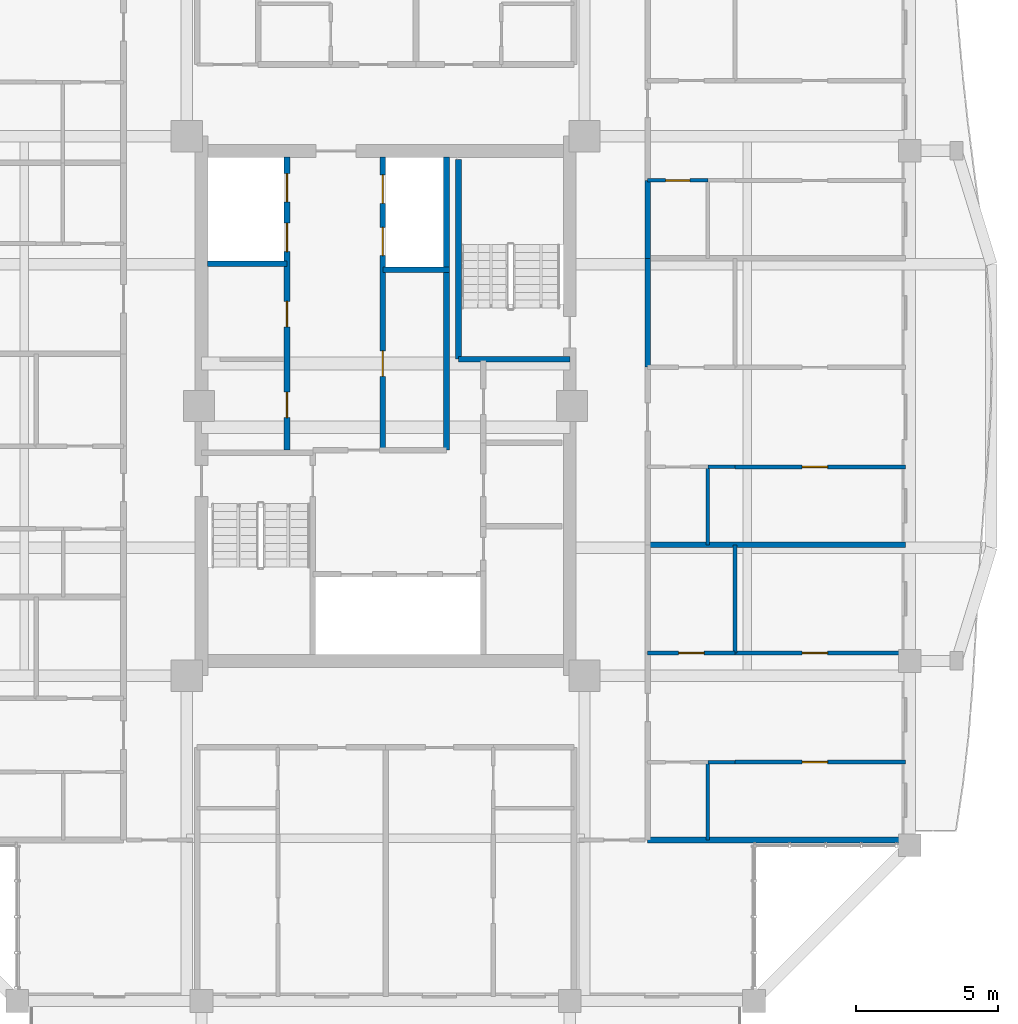
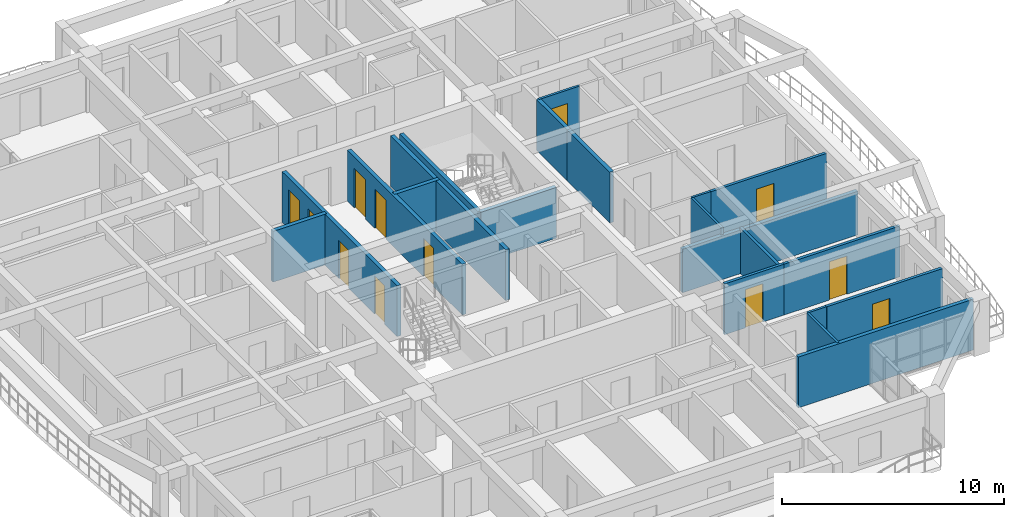
# One storey, part 13 of 22: 22 walls, 12 doors, 12 openings.
"""IFC4 building model written with IfcOpenShell, lengths in metres."""

from ifc_helpers import new_model, si_unit, direction, frame, frame_2d, origin, place, context, subcontext, project, spatial, rectangle, extrude, source, transform, mapped, material, layer, layer_set, type_object, element, fill, save


model = new_model("IFC4")

# Units and contexts
model_context = context("Model", 3, precision=1e-05, world=origin(), true_north=direction((0.0, 1.0)))
body_context = subcontext(model_context, "Body", "Model", "MODEL_VIEW")
ifc_project = project(units=[si_unit("LENGTHUNIT", "METRE"), si_unit("AREAUNIT", "SQUARE_METRE"), si_unit("VOLUMEUNIT", "CUBIC_METRE"), si_unit("PLANEANGLEUNIT", "RADIAN"), si_unit("MASSUNIT", "GRAM", prefix="KILO")], contexts=[model_context])

# Site, building, storey
site_placement = place(None, origin())
site = spatial("IfcSite", under=ifc_project, at=site_placement, CompositionType="ELEMENT")
building_placement = place(site_placement, origin())
building = spatial("IfcBuilding", under=site, at=building_placement, Name="Saelheon Loggia Tower", CompositionType="ELEMENT")
storey_placement = place(building_placement, frame((0.0, 0.0, 196.60009765625)))
storey = spatial("IfcBuildingStorey", under=building, at=storey_placement, Name="L61", CompositionType="ELEMENT", Elevation=196.60009765625)

# Wall
ifc_material_1 = material(Name="Lightweight Autoclaved Aerated Concrete Block and Acoustic Gypsum", Category="concrete")
ifc_layer_1 = layer(ifc_material_1, 0.14990234375)
ifc_layer_set_1 = layer_set([ifc_layer_1], Name="Lightweight Autoclaved Aerated Concrete Block and Acoustic Gypsum")
wall_type_1 = type_object("IfcWallType", Name="Wall_Part_150", PredefinedType="PARTITIONING", material=ifc_layer_set_1)
wall_1_placement = place(storey_placement, frame((50.330078125, 18.280029296875, 0.0), z_axis=(0.0, 0.0, 1.0), x_axis=(0.0, 1.0, 0.0)))
element("IfcWall", 1, at=wall_1_placement, inside=storey, type_object=wall_type_1, Name="L61 E Partition V07", PredefinedType="PARTITIONING", context=body_context, shape_type="SweptSolid", body=[
    extrude(rectangle(XDim=3.817626953125, YDim=0.14990234375, at=frame_2d((1.90869140625, 0.0))), origin(), (0.0, 0.0, 1.0), 2.489990234375),
])

# Wall, opening, door
wall_2_placement = place(storey_placement, frame((50.330078125, 14.429931640625, 0.0), z_axis=(0.0, 0.0, 1.0), x_axis=(1.0, 0.0, 0.0)))
wall_2 = element("IfcWall", 2, at=wall_2_placement, inside=storey, type_object=wall_type_1, Name="L61 E Partition U10", PredefinedType="PARTITIONING", context=body_context, shape_type="SweptSolid", body=[
    extrude(rectangle(XDim=6.02001953125, YDim=0.14990234375, at=frame_2d((3.010009765625, 0.0))), origin(), (0.0, 0.0, 1.0), 2.789794921875),
])
opening_1_placement = place(wall_2_placement, frame((2.36669921875, 0.0, 0.0)))
opening_1 = element("IfcOpeningElement", 3, at=opening_1_placement, cuts=wall_2, Name="Opening D-IN2", PredefinedType="OPENING", context=body_context, shape_type="SweptSolid", body=[
    extrude(rectangle(XDim=0.89990234375, YDim=2.10009765625, at=frame_2d((0.449951171875, 1.050048828125))), frame((0.0, 0.0869140625, 0.0), z_axis=(0.0, -1.0, 0.0), x_axis=(1.0, 0.0, 0.0)), (0.0, 0.0, 1.0), 0.173828125),
])
ifc_material_2 = material(Name="Engineered Oak Flush Door", Category="timber")
door_type_1 = type_object("IfcDoorType", Name="Door_Int_900", OperationType="NOTDEFINED", PredefinedType="DOOR", material=ifc_material_2)
shared_shape_1 = source(origin(), body_context, "Body", "SweptSolid", [
    extrude(rectangle(XDim=0.89990234375, YDim=2.10009765625, at=frame_2d((0.449951171875, 1.050048828125))), frame((0.0, 0.02490234375, 0.0), z_axis=(0.0, -1.0, 0.0), x_axis=(1.0, 0.0, 0.0)), (0.0, 0.0, 1.0), 0.050048828125),
])
door_1_placement = place(opening_1_placement, origin())
door_1 = element("IfcDoor", 4, at=door_1_placement, inside=storey, type_object=door_type_1, Name="Unit U09 Kitchen Door", OperationType="SINGLE_SWING_LEFT", OverallHeight=2.10009765625, OverallWidth=0.89990234375, PredefinedType="DOOR", context=body_context, shape_type="MappedRepresentation", body=[
    mapped(shared_shape_1, transform((0.0, 0.0, 0.0), scale=1.0)),
])
fill(opening_1, door_1)

wall_3_placement = place(storey_placement, frame((47.25, 18.280029296875, 0.0), z_axis=(0.0, 0.0, 1.0), x_axis=(1.0, 0.0, 0.0)))
wall_3 = element("IfcWall", 5, at=wall_3_placement, inside=storey, type_object=wall_type_1, Name="L61 E Partition U11", PredefinedType="PARTITIONING", context=body_context, shape_type="SweptSolid", body=[
    extrude(rectangle(XDim=3.080078125, YDim=0.14990234375, at=frame_2d((1.5400390625, 0.0))), origin(), (0.0, 0.0, 1.0), 2.789794921875),
])
opening_2_placement = place(wall_3_placement, frame((1.090087890625, 0.0, 0.0)))
opening_2 = element("IfcOpeningElement", 6, at=opening_2_placement, cuts=wall_3, Name="Opening D-IN2", PredefinedType="OPENING", context=body_context, shape_type="SweptSolid", body=[
    extrude(rectangle(XDim=0.89990234375, YDim=2.10009765625, at=frame_2d((0.449951171875, 1.050048828125))), frame((0.0, 0.0869140625, 0.0), z_axis=(0.0, -1.0, 0.0), x_axis=(1.0, 0.0, 0.0)), (0.0, 0.0, 1.0), 0.173828125),
])
door_2_placement = place(opening_2_placement, origin())
door_2 = element("IfcDoor", 7, at=door_2_placement, inside=storey, type_object=door_type_1, Name="Unit U09 Home Office Door", OperationType="SINGLE_SWING_RIGHT", OverallHeight=2.10009765625, OverallWidth=0.89990234375, PredefinedType="DOOR", context=body_context, shape_type="MappedRepresentation", body=[
    mapped(shared_shape_1, transform((0.0, 0.0, 0.0), scale=1.0)),
])
fill(opening_2, door_2)

wall_4_placement = place(storey_placement, frame((50.330078125, 18.280029296875, 0.0), z_axis=(0.0, 0.0, 1.0), x_axis=(1.0, 0.0, 0.0)))
wall_4 = element("IfcWall", 8, at=wall_4_placement, inside=storey, type_object=wall_type_1, Name="L61 E Partition U12", PredefinedType="PARTITIONING", context=body_context, shape_type="SweptSolid", body=[
    extrude(rectangle(XDim=6.02001953125, YDim=0.14990234375, at=frame_2d((3.010009765625, 0.0))), origin(), (0.0, 0.0, 1.0), 2.789794921875),
])
opening_3_placement = place(wall_4_placement, frame((2.36669921875, 0.0, 0.0)))
opening_3 = element("IfcOpeningElement", 9, at=opening_3_placement, cuts=wall_4, Name="Opening D-IN2", PredefinedType="OPENING", context=body_context, shape_type="SweptSolid", body=[
    extrude(rectangle(XDim=0.89990234375, YDim=2.10009765625, at=frame_2d((0.449951171875, 1.050048828125))), frame((0.0, 0.0869140625, 0.0), z_axis=(0.0, -1.0, 0.0), x_axis=(1.0, 0.0, 0.0)), (0.0, 0.0, 1.0), 0.173828125),
])
door_3_placement = place(opening_3_placement, origin())
door_3 = element("IfcDoor", 10, at=door_3_placement, inside=storey, type_object=door_type_1, Name="Unit U09 Bedroom 1 Door", OperationType="SINGLE_SWING_LEFT", OverallHeight=2.10009765625, OverallWidth=0.89990234375, PredefinedType="DOOR", context=body_context, shape_type="MappedRepresentation", body=[
    mapped(shared_shape_1, transform((0.0, 0.0, 0.0), scale=1.0)),
])
fill(opening_3, door_3)

wall_5_placement = place(storey_placement, frame((50.330078125, 24.84765625, 0.0), z_axis=(0.0, 0.0, 1.0), x_axis=(1.0, 0.0, 0.0)))
wall_5 = element("IfcWall", 11, at=wall_5_placement, inside=storey, type_object=wall_type_1, Name="L61 E Partition U21", PredefinedType="PARTITIONING", context=body_context, shape_type="SweptSolid", body=[
    extrude(rectangle(XDim=6.02001953125, YDim=0.14990234375, at=frame_2d((3.010009765625, 0.0))), origin(), (0.0, 0.0, 1.0), 2.789794921875),
])
opening_4_placement = place(wall_5_placement, frame((2.36669921875, 0.0, 0.0)))
opening_4 = element("IfcOpeningElement", 12, at=opening_4_placement, cuts=wall_5, Name="Opening D-IN2", PredefinedType="OPENING", context=body_context, shape_type="SweptSolid", body=[
    extrude(rectangle(XDim=0.89990234375, YDim=2.10009765625, at=frame_2d((0.449951171875, 1.050048828125))), frame((0.0, 0.0869140625, 0.0), z_axis=(0.0, -1.0, 0.0), x_axis=(1.0, 0.0, 0.0)), (0.0, 0.0, 1.0), 0.173828125),
])
door_4_placement = place(opening_4_placement, origin())
door_4 = element("IfcDoor", 13, at=door_4_placement, inside=storey, type_object=door_type_1, Name="Unit U10 Kitchen Door", OperationType="SINGLE_SWING_RIGHT", OverallHeight=2.10009765625, OverallWidth=0.89990234375, PredefinedType="DOOR", context=body_context, shape_type="MappedRepresentation", body=[
    mapped(shared_shape_1, transform((0.0, 0.0, 0.0), scale=1.0)),
])
fill(opening_4, door_4)

# Walls
ifc_material_3 = material(Name="Double Acoustic Stud and Fireboard Partition", Category="gypsum")
ifc_layer_2 = layer(ifc_material_3, 0.199951171875)
ifc_layer_set_2 = layer_set([ifc_layer_2], Name="Double Acoustic Stud and Fireboard Partition")
wall_type_2 = type_object("IfcWallType", Name="Wall_Party_200", PredefinedType="PARTITIONING", material=ifc_layer_set_2)
wall_6_placement = place(storey_placement, frame((47.25, 11.679931640625, 0.0), z_axis=(0.0, 0.0, 1.0), x_axis=(1.0, 0.0, 0.0)))
element("IfcWall", 14, at=wall_6_placement, inside=storey, type_object=wall_type_2, Name="L61 E Partition U01", PredefinedType="PARTITIONING", context=body_context, shape_type="SweptSolid", body=[
    extrude(rectangle(XDim=9.10009765625, YDim=0.199951171875, at=frame_2d((4.550048828125, 0.0))), origin(), (0.0, 0.0, 1.0), 2.789794921875),
])
wall_7_placement = place(storey_placement, frame((47.25, 22.09765625, 0.0), z_axis=(0.0, 0.0, 1.0), x_axis=(1.0, 0.0, 0.0)))
element("IfcWall", 15, at=wall_7_placement, inside=storey, type_object=wall_type_2, Name="L61 E Partition U13", PredefinedType="PARTITIONING", context=body_context, shape_type="SweptSolid", body=[
    extrude(rectangle(XDim=9.10009765625, YDim=0.199951171875, at=frame_2d((4.550048828125, 0.0))), origin(), (0.0, 0.0, 1.0), 2.389892578125),
])
wall_8_placement = place(storey_placement, frame((47.25, 28.366455078125, 0.0), z_axis=(0.0, 0.0, 1.0), x_axis=(0.0, 1.0, 0.0)))
element("IfcWall", 16, at=wall_8_placement, inside=storey, type_object=wall_type_2, Name="L61 E Partition V16", PredefinedType="PARTITIONING", context=body_context, shape_type="SweptSolid", body=[
    extrude(rectangle(XDim=3.84228515625, YDim=0.199951171875, at=frame_2d((1.921142578125, 0.0))), origin(), (0.0, 0.0, 1.0), 2.789794921875),
])
wall_9_placement = place(storey_placement, frame((47.25, 32.208740234375, 0.0), z_axis=(0.0, 0.0, 1.0), x_axis=(0.0, 1.0, 0.0)))
element("IfcWall", 17, at=wall_9_placement, inside=storey, type_object=wall_type_2, Name="L61 E Partition V25", PredefinedType="PARTITIONING", context=body_context, shape_type="SweptSolid", body=[
    extrude(rectangle(XDim=2.75, YDim=0.199951171875, at=frame_2d((1.375, 0.0))), origin(), (0.0, 0.0, 1.0), 2.789794921875),
])
ifc_material_4 = material(Name="Concrete C40/50", Category="concrete")
ifc_layer_3 = layer(ifc_material_4, 0.199951171875)
ifc_layer_set_3 = layer_set([ifc_layer_3], Name="Concrete C40/50")
wall_type_3 = type_object("IfcWallType", Name="Wall_Shaft_200", PredefinedType="PARTITIONING", material=ifc_layer_set_3)
wall_10_placement = place(storey_placement, frame((40.14990234375, 25.43994140625, 0.0), z_axis=(0.0, 0.0, 1.0), x_axis=(0.0, 1.0, 0.0)))
element("IfcWall", 18, at=wall_10_placement, inside=storey, type_object=wall_type_3, Name="L61 Core Service Passage West Wall", PredefinedType="PARTITIONING", context=body_context, shape_type="SweptSolid", body=[
    extrude(rectangle(XDim=6.360107421875, YDim=0.199951171875, at=frame_2d((3.18017578125, 0.0))), origin(), (0.0, 0.0, 1.0), 2.789794921875),
])
wall_11_placement = place(storey_placement, frame((40.14990234375, 31.800048828125, 0.0), z_axis=(0.0, 0.0, 1.0), x_axis=(0.0, 1.0, 0.0)))
element("IfcWall", 19, at=wall_11_placement, inside=storey, type_object=wall_type_3, Name="L61 East High-Rise Hoistway East Wall", PredefinedType="PARTITIONING", context=body_context, shape_type="SweptSolid", body=[
    extrude(rectangle(XDim=3.97998046875, YDim=0.199951171875, at=frame_2d((1.989990234375, 0.0))), origin(), (0.0, 0.0, 1.0), 2.789794921875),
])

# Wall, openings, doors
wall_12_placement = place(storey_placement, frame((34.52001953125, 25.43994140625, 0.0), z_axis=(0.0, 0.0, 1.0), x_axis=(0.0, 1.0, 0.0)))
wall_12 = element("IfcWall", 20, at=wall_12_placement, inside=storey, type_object=wall_type_3, Name="L61 West Passenger Lift Bank Wall", PredefinedType="PARTITIONING", context=body_context, shape_type="SweptSolid", body=[
    extrude(rectangle(XDim=10.340087890625, YDim=0.199951171875, at=frame_2d((5.169921875, 0.0))), origin(), (0.0, 0.0, 1.0), 2.789794921875),
])
opening_5_placement = place(wall_12_placement, frame((1.14990234375, 0.0, 0.0)))
opening_5 = element("IfcOpeningElement", 21, at=opening_5_placement, cuts=wall_12, Name="Opening D-RS1", PredefinedType="OPENING", context=body_context, shape_type="SweptSolid", body=[
    extrude(rectangle(XDim=0.89990234375, YDim=2.10009765625, at=frame_2d((0.449951171875, 1.050048828125))), frame((0.0, 0.112060546875, 0.0), z_axis=(0.0, -1.0, 0.0), x_axis=(1.0, 0.0, 0.0)), (0.0, 0.0, 1.0), 0.223876953125),
])
opening_6_placement = place(wall_12_placement, frame((4.35009765625, 0.0, 0.0)))
opening_6 = element("IfcOpeningElement", 22, at=opening_6_placement, cuts=wall_12, Name="Opening D-RS1", PredefinedType="OPENING", context=body_context, shape_type="SweptSolid", body=[
    extrude(rectangle(XDim=0.89990234375, YDim=2.10009765625, at=frame_2d((0.449951171875, 1.050048828125))), frame((0.0, 0.112060546875, 0.0), z_axis=(0.0, -1.0, 0.0), x_axis=(1.0, 0.0, 0.0)), (0.0, 0.0, 1.0), 0.223876953125),
])
opening_7_placement = place(wall_12_placement, frame((7.010009765625, 0.0, 0.0)))
opening_7 = element("IfcOpeningElement", 23, at=opening_7_placement, cuts=wall_12, Name="Opening LD1", PredefinedType="OPENING", context=body_context, shape_type="SweptSolid", body=[
    extrude(rectangle(XDim=1.0, YDim=2.14990234375, at=frame_2d((0.5, 1.074951171875))), frame((0.0, 0.112060546875, 0.0), z_axis=(0.0, -1.0, 0.0), x_axis=(1.0, 0.0, 0.0)), (0.0, 0.0, 1.0), 0.223876953125),
])
opening_8_placement = place(wall_12_placement, frame((8.760009765625, 0.0, 0.0)))
opening_8 = element("IfcOpeningElement", 24, at=opening_8_placement, cuts=wall_12, Name="Opening LD1", PredefinedType="OPENING", context=body_context, shape_type="SweptSolid", body=[
    extrude(rectangle(XDim=1.0, YDim=2.14990234375, at=frame_2d((0.5, 1.074951171875))), frame((0.0, 0.112060546875, 0.0), z_axis=(0.0, -1.0, 0.0), x_axis=(1.0, 0.0, 0.0)), (0.0, 0.0, 1.0), 0.223876953125),
])
ifc_material_5 = material(Name="Galvanised Steel Riser Access Door", Category="steel")
door_type_2 = type_object("IfcDoorType", Name="Door_Riser_FD60", OperationType="NOTDEFINED", PredefinedType="DOOR", material=ifc_material_5)
door_5_placement = place(opening_5_placement, origin())
door_5 = element("IfcDoor", 25, at=door_5_placement, inside=storey, type_object=door_type_2, Name="L61 Parcel Store Door", OperationType="SINGLE_SWING_LEFT", OverallHeight=2.10009765625, OverallWidth=0.89990234375, PredefinedType="DOOR", context=body_context, shape_type="MappedRepresentation", body=[
    mapped(shared_shape_1, transform((0.0, 0.0, 0.0), scale=1.0)),
])
fill(opening_5, door_5)
door_6_placement = place(opening_6_placement, origin())
door_6 = element("IfcDoor", 26, at=door_6_placement, inside=storey, type_object=door_type_2, Name="L61 Smart Metering Door", OperationType="SINGLE_SWING_RIGHT", OverallHeight=2.10009765625, OverallWidth=0.89990234375, PredefinedType="DOOR", context=body_context, shape_type="MappedRepresentation", body=[
    mapped(shared_shape_1, transform((0.0, 0.0, 0.0), scale=1.0)),
])
fill(opening_6, door_6)
ifc_material_6 = material(Name="Brushed Stainless Steel 304 Landing Door", Category="steel")
door_type_3 = type_object("IfcDoorType", Name="Door_Lift_LD1", OperationType="DOUBLE_DOOR_SLIDING", PredefinedType="DOOR", material=ifc_material_6)
shared_shape_2 = source(origin(), body_context, "Body", "SweptSolid", [
    extrude(rectangle(XDim=1.0, YDim=2.14990234375, at=frame_2d((0.5, 1.074951171875))), frame((0.0, 0.02490234375, 0.0), z_axis=(0.0, -1.0, 0.0), x_axis=(1.0, 0.0, 0.0)), (0.0, 0.0, 1.0), 0.050048828125),
])
door_7_placement = place(opening_7_placement, origin())
door_7 = element("IfcDoor", 27, at=door_7_placement, inside=storey, type_object=door_type_3, Name="L61 PH1 Landing Door", OperationType="DOUBLE_DOOR_SLIDING", OverallHeight=2.14990234375, OverallWidth=1.0, PredefinedType="DOOR", context=body_context, shape_type="MappedRepresentation", body=[
    mapped(shared_shape_2, transform((0.0, 0.0, 0.0), scale=1.0)),
])
fill(opening_7, door_7)
door_8_placement = place(opening_8_placement, origin())
door_8 = element("IfcDoor", 28, at=door_8_placement, inside=storey, type_object=door_type_3, Name="L61 PH2 Landing Door", OperationType="DOUBLE_DOOR_SLIDING", OverallHeight=2.14990234375, OverallWidth=1.0, PredefinedType="DOOR", context=body_context, shape_type="MappedRepresentation", body=[
    mapped(shared_shape_2, transform((0.0, 0.0, 0.0), scale=1.0)),
])
fill(opening_8, door_8)

# Wall
wall_13_placement = place(storey_placement, frame((31.719970703125, 32.02001953125, 0.0), z_axis=(0.0, 0.0, 1.0), x_axis=(1.0, 0.0, 0.0)))
element("IfcWall", 29, at=wall_13_placement, inside=storey, type_object=wall_type_3, Name="L61 West High-Rise Shaft Divider", PredefinedType="PARTITIONING", context=body_context, shape_type="SweptSolid", body=[
    extrude(rectangle(XDim=2.800048828125, YDim=0.199951171875, at=frame_2d((1.39990234375, 0.0))), origin(), (0.0, 0.0, 1.0), 2.789794921875),
])

# Wall, openings, doors
wall_14_placement = place(storey_placement, frame((37.89990234375, 25.43994140625, 0.0), z_axis=(0.0, 0.0, 1.0), x_axis=(0.0, 1.0, 0.0)))
wall_14 = element("IfcWall", 30, at=wall_14_placement, inside=storey, type_object=wall_type_3, Name="L61 East Passenger Lift Bank Wall", PredefinedType="PARTITIONING", context=body_context, shape_type="SweptSolid", body=[
    extrude(rectangle(XDim=10.340087890625, YDim=0.199951171875, at=frame_2d((5.169921875, 0.0))), origin(), (0.0, 0.0, 1.0), 2.789794921875),
])
opening_9_placement = place(wall_14_placement, frame((2.60009765625, 0.0, 0.0)))
opening_9 = element("IfcOpeningElement", 31, at=opening_9_placement, cuts=wall_14, Name="Opening D-RS1", PredefinedType="OPENING", context=body_context, shape_type="SweptSolid", body=[
    extrude(rectangle(XDim=0.89990234375, YDim=2.10009765625, at=frame_2d((0.449951171875, 1.050048828125))), frame((0.0, 0.112060546875, 0.0), z_axis=(0.0, -1.0, 0.0), x_axis=(1.0, 0.0, 0.0)), (0.0, 0.0, 1.0), 0.223876953125),
])
opening_10_placement = place(wall_14_placement, frame((6.860107421875, 0.0, 0.0)))
opening_10 = element("IfcOpeningElement", 32, at=opening_10_placement, cuts=wall_14, Name="Opening LD1", PredefinedType="OPENING", context=body_context, shape_type="SweptSolid", body=[
    extrude(rectangle(XDim=1.0, YDim=2.14990234375, at=frame_2d((0.5, 1.074951171875))), frame((0.0, 0.112060546875, 0.0), z_axis=(0.0, -1.0, 0.0), x_axis=(1.0, 0.0, 0.0)), (0.0, 0.0, 1.0), 0.223876953125),
])
opening_11_placement = place(wall_14_placement, frame((8.7099609375, 0.0, 0.0)))
opening_11 = element("IfcOpeningElement", 33, at=opening_11_placement, cuts=wall_14, Name="Opening LD1", PredefinedType="OPENING", context=body_context, shape_type="SweptSolid", body=[
    extrude(rectangle(XDim=1.0, YDim=2.14990234375, at=frame_2d((0.5, 1.074951171875))), frame((0.0, 0.112060546875, 0.0), z_axis=(0.0, -1.0, 0.0), x_axis=(1.0, 0.0, 0.0)), (0.0, 0.0, 1.0), 0.223876953125),
])
door_9_placement = place(opening_9_placement, origin())
door_9 = element("IfcDoor", 34, at=door_9_placement, inside=storey, type_object=door_type_2, Name="L61 Upper Storage Room Door", OperationType="SINGLE_SWING_LEFT", OverallHeight=2.10009765625, OverallWidth=0.89990234375, PredefinedType="DOOR", context=body_context, shape_type="MappedRepresentation", body=[
    mapped(shared_shape_1, transform((0.0, 0.0, 0.0), scale=1.0)),
])
fill(opening_9, door_9)
door_10_placement = place(opening_10_placement, origin())
door_10 = element("IfcDoor", 35, at=door_10_placement, inside=storey, type_object=door_type_3, Name="L61 PH3 Landing Door", OperationType="DOUBLE_DOOR_SLIDING", OverallHeight=2.14990234375, OverallWidth=1.0, PredefinedType="DOOR", context=body_context, shape_type="MappedRepresentation", body=[
    mapped(shared_shape_2, transform((0.0, 0.0, 0.0), scale=1.0)),
])
fill(opening_10, door_10)
door_11_placement = place(opening_11_placement, origin())
door_11 = element("IfcDoor", 36, at=door_11_placement, inside=storey, type_object=door_type_3, Name="L61 PH4 Landing Door", OperationType="DOUBLE_DOOR_SLIDING", OverallHeight=2.14990234375, OverallWidth=1.0, PredefinedType="DOOR", context=body_context, shape_type="MappedRepresentation", body=[
    mapped(shared_shape_2, transform((0.0, 0.0, 0.0), scale=1.0)),
])
fill(opening_11, door_11)

# Walls
wall_15_placement = place(storey_placement, frame((37.89990234375, 31.800048828125, 0.0), z_axis=(0.0, 0.0, 1.0), x_axis=(1.0, 0.0, 0.0)))
element("IfcWall", 37, at=wall_15_placement, inside=storey, type_object=wall_type_3, Name="L61 East High-Rise Shaft Divider", PredefinedType="PARTITIONING", context=body_context, shape_type="SweptSolid", body=[
    extrude(rectangle(XDim=2.35009765625, YDim=0.199951171875, at=frame_2d((1.175048828125, 0.0))), origin(), (0.0, 0.0, 1.0), 2.789794921875),
])
ifc_material_7 = material(Name="Concrete C45/55", Category="concrete")
ifc_layer_4 = layer(ifc_material_7, 0.199951171875)
ifc_layer_set_4 = layer_set([ifc_layer_4], Name="Concrete C45/55")
wall_type_4 = type_object("IfcWallType", Name="Wall_StairShaft_RC200", PredefinedType="SOLIDWALL", material=ifc_layer_set_4)
wall_16_placement = place(storey_placement, frame((40.570068359375, 28.64990234375, 0.0), z_axis=(0.0, 0.0, 1.0), x_axis=(0.0, 1.0, 0.0)))
element("IfcWall", 38, at=wall_16_placement, inside=storey, type_object=wall_type_4, Name="L61 Stair ST2 Shaft Wall", PredefinedType="SOLIDWALL", context=body_context, shape_type="SweptSolid", body=[
    extrude(rectangle(XDim=7.050048828125, YDim=0.199951171875, at=frame_2d((3.52490234375, 0.0))), origin(), (0.0, 0.0, 1.0), 2.789794921875),
])
wall_17_placement = place(storey_placement, frame((40.570068359375, 28.64990234375, 0.0), z_axis=(0.0, 0.0, 1.0), x_axis=(1.0, 0.0, 0.0)))
element("IfcWall", 39, at=wall_17_placement, inside=storey, type_object=wall_type_4, Name="L61 Stair ST2 South Wall", PredefinedType="SOLIDWALL", context=body_context, shape_type="SweptSolid", body=[
    extrude(rectangle(XDim=3.929931640625, YDim=0.199951171875, at=frame_2d((1.96484375, 0.0))), origin(), (0.0, 0.0, 1.0), 2.789794921875),
])
ifc_material_8 = material(Name="Moisture-Resistant Cement Board Partition", Category="gypsum")
ifc_layer_5 = layer(ifc_material_8, 0.1201171875)
ifc_layer_set_5 = layer_set([ifc_layer_5], Name="Moisture-Resistant Cement Board Partition")
wall_type_5 = type_object("IfcWallType", Name="Wall_WetPart_120", PredefinedType="PARTITIONING", material=ifc_layer_set_5)
wall_18_placement = place(storey_placement, frame((49.3701171875, 11.679931640625, 0.0), z_axis=(0.0, 0.0, 1.0), x_axis=(0.0, 1.0, 0.0)))
element("IfcWall", 40, at=wall_18_placement, inside=storey, type_object=wall_type_5, Name="L61 E Partition V06", PredefinedType="PARTITIONING", context=body_context, shape_type="SweptSolid", body=[
    extrude(rectangle(XDim=2.75, YDim=0.1201171875, at=frame_2d((1.375, 0.0))), origin(), (0.0, 0.0, 1.0), 2.789794921875),
])
wall_19_placement = place(storey_placement, frame((49.3701171875, 14.429931640625, 0.0), z_axis=(0.0, 0.0, 1.0), x_axis=(1.0, 0.0, 0.0)))
element("IfcWall", 41, at=wall_19_placement, inside=storey, type_object=wall_type_5, Name="L61 E Partition U09", PredefinedType="PARTITIONING", context=body_context, shape_type="SweptSolid", body=[
    extrude(rectangle(XDim=0.9599609375, YDim=0.1201171875, at=frame_2d((0.47998046875, 0.0))), origin(), (0.0, 0.0, 1.0), 2.789794921875),
])
wall_20_placement = place(storey_placement, frame((49.3701171875, 22.09765625, 0.0), z_axis=(0.0, 0.0, 1.0), x_axis=(0.0, 1.0, 0.0)))
element("IfcWall", 42, at=wall_20_placement, inside=storey, type_object=wall_type_5, Name="L61 E Partition V17", PredefinedType="PARTITIONING", context=body_context, shape_type="SweptSolid", body=[
    extrude(rectangle(XDim=2.75, YDim=0.1201171875, at=frame_2d((1.375, 0.0))), origin(), (0.0, 0.0, 1.0), 2.789794921875),
])
wall_21_placement = place(storey_placement, frame((49.3701171875, 24.84765625, 0.0), z_axis=(0.0, 0.0, 1.0), x_axis=(1.0, 0.0, 0.0)))
element("IfcWall", 43, at=wall_21_placement, inside=storey, type_object=wall_type_5, Name="L61 E Partition U20", PredefinedType="PARTITIONING", context=body_context, shape_type="SweptSolid", body=[
    extrude(rectangle(XDim=0.9599609375, YDim=0.1201171875, at=frame_2d((0.47998046875, 0.0))), origin(), (0.0, 0.0, 1.0), 2.789794921875),
])

# Wall, opening, door
wall_22_placement = place(storey_placement, frame((47.25, 34.958740234375, 0.0), z_axis=(0.0, 0.0, 1.0), x_axis=(1.0, 0.0, 0.0)))
wall_22 = element("IfcWall", 44, at=wall_22_placement, inside=storey, type_object=wall_type_5, Name="L61 E Partition U30", PredefinedType="PARTITIONING", context=body_context, shape_type="SweptSolid", body=[
    extrude(rectangle(XDim=2.1201171875, YDim=0.1201171875, at=frame_2d((1.06005859375, 0.0))), origin(), (0.0, 0.0, 1.0), 2.789794921875),
])
opening_12_placement = place(wall_22_placement, frame((0.635009765625, 0.0, 0.0)))
opening_12 = element("IfcOpeningElement", 45, at=opening_12_placement, cuts=wall_22, Name="Opening D-BT1", PredefinedType="OPENING", context=body_context, shape_type="SweptSolid", body=[
    extrude(rectangle(XDim=0.85009765625, YDim=2.050048828125, at=frame_2d((0.425048828125, 1.02490234375))), frame((0.0, 0.072021484375, 0.0), z_axis=(0.0, -1.0, 0.0), x_axis=(1.0, 0.0, 0.0)), (0.0, 0.0, 1.0), 0.14404296875),
])
ifc_material_9 = material(Name="Moisture-Resistant Laminate Timber Door", Category="wood")
door_type_4 = type_object("IfcDoorType", Name="Door_Bath_850", OperationType="NOTDEFINED", PredefinedType="DOOR", material=ifc_material_9)
shared_shape_3 = source(origin(), body_context, "Body", "SweptSolid", [
    extrude(rectangle(XDim=0.85009765625, YDim=2.050048828125, at=frame_2d((0.425048828125, 1.02490234375))), frame((0.0, 0.02490234375, 0.0), z_axis=(0.0, -1.0, 0.0), x_axis=(1.0, 0.0, 0.0)), (0.0, 0.0, 1.0), 0.050048828125),
])
door_12_placement = place(opening_12_placement, origin())
door_12 = element("IfcDoor", 46, at=door_12_placement, inside=storey, type_object=door_type_4, Name="Unit U11 Bathroom Door", OperationType="SINGLE_SWING_RIGHT", OverallHeight=2.050048828125, OverallWidth=0.85009765625, PredefinedType="DOOR", context=body_context, shape_type="MappedRepresentation", body=[
    mapped(shared_shape_3, transform((0.0, 0.0, 0.0), scale=1.0)),
])
fill(opening_12, door_12)

save(model, "model.ifc")
